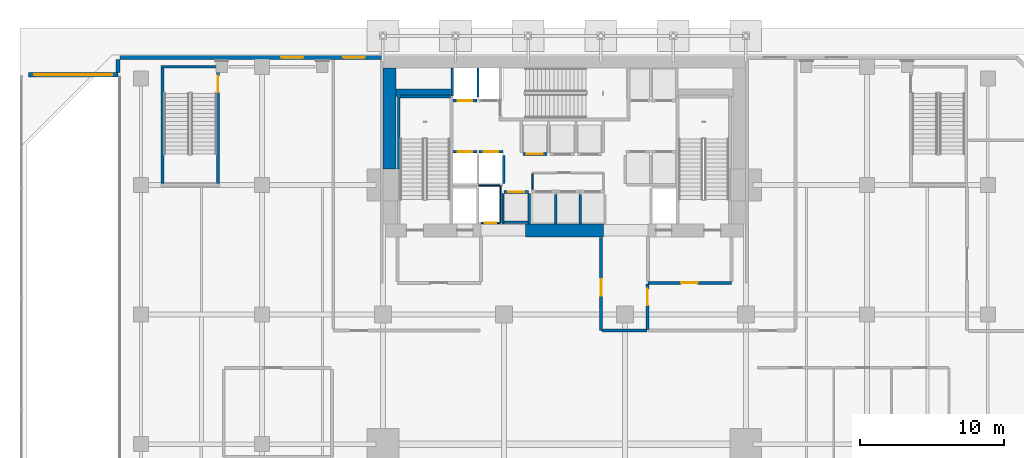
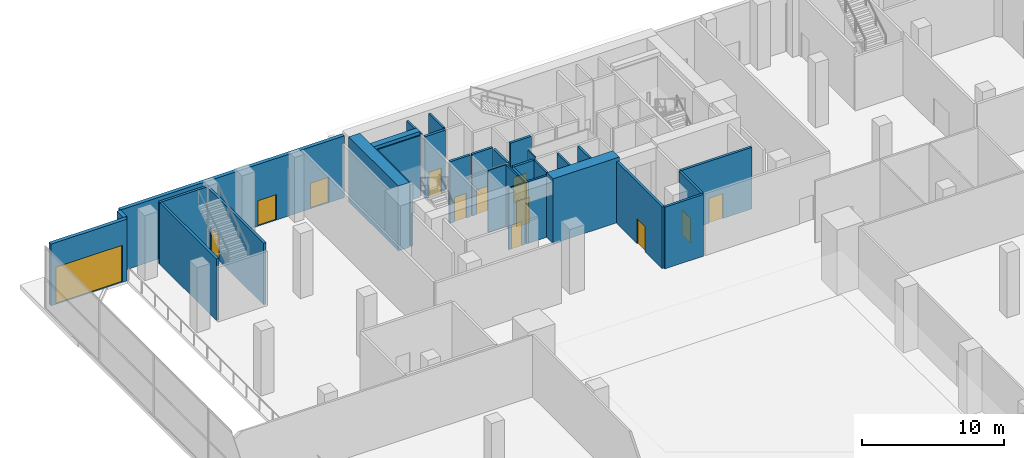
# One storey, part 28 of 35: 32 walls, 13 doors, 13 openings.
"""IFC4 building model written with IfcOpenShell, lengths in metres."""

from ifc_helpers import new_model, si_unit, direction, frame, frame_2d, origin, place, context, subcontext, project, spatial, rectangle, extrude, material, layer, layer_set, type_object, element, fill, save


model = new_model("IFC4")

# Units and contexts
model_context = context("Model", 3, precision=1e-05, world=origin(), true_north=direction((0.0, 1.0)))
body_context = subcontext(model_context, "Body", "Model", "MODEL_VIEW")
ifc_project = project(units=[si_unit("LENGTHUNIT", "METRE"), si_unit("AREAUNIT", "SQUARE_METRE"), si_unit("VOLUMEUNIT", "CUBIC_METRE"), si_unit("PLANEANGLEUNIT", "RADIAN"), si_unit("MASSUNIT", "GRAM", prefix="KILO")], contexts=[model_context])

# Site, building, storey
site_placement = place(None, origin())
site = spatial("IfcSite", under=ifc_project, at=site_placement, CompositionType="ELEMENT")
building_placement = place(site_placement, origin())
building = spatial("IfcBuilding", under=site, at=building_placement, Name="Maruvema Waterfront Hotel and Observation Tower", CompositionType="ELEMENT")
storey_placement = place(building_placement, origin())
storey = spatial("IfcBuildingStorey", under=building, at=storey_placement, Name="L00", CompositionType="ELEMENT", Elevation=0.0)

# Walls
ifc_material_1 = material(Name="Precast concrete C45/55", Category="concrete")
ifc_layer_1 = layer(ifc_material_1, 0.199951171875, Name="Core Shaft and Stairwell Enclosure Wall 200 mm")
ifc_layer_set_1 = layer_set([ifc_layer_1], Name="Precast concrete C45/55")
wall_type_1 = type_object("IfcWallType", Name="Core Shaft and Stairwell Enclosure Wall 200 mm", PredefinedType="SOLIDWALL", material=ifc_layer_set_1)
wall_1_placement = place(storey_placement, frame((26.300048828125, 46.1201171875, 0.0), z_axis=(0.0, 0.0, 1.0), x_axis=(0.0, 1.0, 0.0)))
element("IfcWall", 1, at=wall_1_placement, inside=storey, type_object=wall_type_1, Name="L00 Stairwell ST-01 Shaft Lining Wall", PredefinedType="SOLIDWALL", context=body_context, shape_type="SweptSolid", body=[
    extrude(rectangle(XDim=5.0, YDim=0.199951171875, at=frame_2d((2.5, 0.0))), origin(), (0.0, 0.0, 1.0), 5.320068359375),
])
wall_2_placement = place(storey_placement, frame((26.3798828125, 51.14990234375, 0.0), z_axis=(0.0, 0.0, 1.0), x_axis=(1.0, 0.0, 0.0)))
element("IfcWall", 2, at=wall_2_placement, inside=storey, type_object=wall_type_1, Name="L00 Stairwell ST-01 Shaft Lining Wall", PredefinedType="SOLIDWALL", context=body_context, shape_type="SweptSolid", body=[
    extrude(rectangle(XDim=3.5, YDim=0.199951171875, at=frame_2d((1.75, 0.0))), origin(), (0.0, 0.0, 1.0), 5.320068359375),
])
wall_3_placement = place(storey_placement, frame((9.89990234375, 45.10009765625, 0.0), z_axis=(0.0, 0.0, 1.0), x_axis=(0.0, 1.0, 0.0)))
element("IfcWall", 3, at=wall_3_placement, inside=storey, type_object=wall_type_1, Name="L00 Stairwell ST-04 Shaft Wall", PredefinedType="SOLIDWALL", context=body_context, shape_type="SweptSolid", body=[
    extrude(rectangle(XDim=8.099853515625, YDim=0.199951171875, at=frame_2d((4.0498046875, 0.0))), origin(), (0.0, 0.0, 1.0), 5.320068359375),
])

# Wall, opening, door
wall_4_placement = place(storey_placement, frame((13.75, 45.10009765625, 0.0), z_axis=(0.0, 0.0, 1.0), x_axis=(0.0, 1.0, 0.0)))
wall_4 = element("IfcWall", 4, at=wall_4_placement, inside=storey, type_object=wall_type_1, Name="L00 Stairwell ST-04 Shaft Wall", PredefinedType="SOLIDWALL", context=body_context, shape_type="SweptSolid", body=[
    extrude(rectangle(XDim=8.099853515625, YDim=0.199951171875, at=frame_2d((4.0498046875, 0.0))), origin(), (0.0, 0.0, 1.0), 5.320068359375),
])
opening_1_placement = place(wall_4_placement, frame((6.320068359375, 0.0, 0.0)))
opening_1 = element("IfcOpeningElement", 5, at=opening_1_placement, cuts=wall_4, Name="Opening SD-01", PredefinedType="OPENING", context=body_context, shape_type="SweptSolid", body=[
    extrude(rectangle(XDim=1.14990234375, YDim=2.14990234375, at=frame_2d((0.574951171875, 1.074951171875))), frame((0.0, 0.10986328125, 0.0), z_axis=(0.0, -1.0, 0.0), x_axis=(1.0, 0.0, 0.0)), (0.0, 0.0, 1.0), 0.219970703125),
])
ifc_material_2 = material(Name="Fire-rated galvanised steel leaf", Category="steel")
door_type_1 = type_object("IfcDoorType", Name="Exit Stair Fire Door 1150x2150 mm", OperationType="NOTDEFINED", PredefinedType="DOOR", material=ifc_material_2)
door_1_placement = place(opening_1_placement, origin())
door_1 = element("IfcDoor", 6, at=door_1_placement, inside=storey, type_object=door_type_1, Name="L00 Exit Stair ST-04 Fire Door", OperationType="SINGLE_SWING_RIGHT", OverallHeight=2.14990234375, OverallWidth=1.14990234375, PredefinedType="DOOR", context=body_context, shape_type="SweptSolid", body=[
    extrude(rectangle(XDim=1.14990234375, YDim=2.14990234375, at=frame_2d((0.574951171875, 1.074951171875))), frame((0.0, 0.02490234375, 0.0), z_axis=(0.0, -1.0, 0.0), x_axis=(1.0, 0.0, 0.0)), (0.0, 0.0, 1.0), 0.050048828125),
])
fill(opening_1, door_1)

# Wall
wall_5_placement = place(storey_placement, frame((9.800048828125, 53.199951171875, 0.0), z_axis=(0.0, 0.0, 1.0), x_axis=(1.0, 0.0, 0.0)))
element("IfcWall", 7, at=wall_5_placement, inside=storey, type_object=wall_type_1, Name="L00 Stairwell ST-04 Shaft Wall", PredefinedType="SOLIDWALL", context=body_context, shape_type="SweptSolid", body=[
    extrude(rectangle(XDim=4.050048828125, YDim=0.199951171875, at=frame_2d((2.02490234375, 0.0))), origin(), (0.0, 0.0, 1.0), 5.320068359375),
])

# Wall, opening, door
wall_6_placement = place(storey_placement, frame((30.06005859375, 47.300048828125, 0.0), z_axis=(0.0, 0.0, 1.0), x_axis=(1.0, 0.0, 0.0)))
wall_6 = element("IfcWall", 8, at=wall_6_placement, inside=storey, type_object=wall_type_1, Name="L00 Lift LF-01 Hoistway Front Wall", PredefinedType="SOLIDWALL", context=body_context, shape_type="SweptSolid", body=[
    extrude(rectangle(XDim=1.679931640625, YDim=0.199951171875, at=frame_2d((0.83984375, 0.0))), origin(), (0.0, 0.0, 1.0), 5.320068359375),
])
opening_2_placement = place(wall_6_placement, frame((0.340087890625, 0.0, 0.0)))
opening_2 = element("IfcOpeningElement", 9, at=opening_2_placement, cuts=wall_6, Name="Opening LD-01", PredefinedType="OPENING", context=body_context, shape_type="SweptSolid", body=[
    extrude(rectangle(XDim=1.0, YDim=2.14990234375, at=frame_2d((0.5, 1.074951171875))), frame((0.0, 0.10986328125, 0.0), z_axis=(0.0, -1.0, 0.0), x_axis=(1.0, 0.0, 0.0)), (0.0, 0.0, 1.0), 0.219970703125),
])
ifc_material_3 = material(Name="Brushed stainless steel Grade 316", Category="steel")
door_type_2 = type_object("IfcDoorType", Name="Passenger Lift Sliding Landing Door 1000x2150 mm", OperationType="SLIDING_TO_LEFT", PredefinedType="DOOR", material=ifc_material_3)
door_2_placement = place(opening_2_placement, origin())
door_2 = element("IfcDoor", 10, at=door_2_placement, inside=storey, type_object=door_type_2, Name="L00 Lift LF-01 Sliding Landing Door", OperationType="SLIDING_TO_LEFT", OverallHeight=2.14990234375, OverallWidth=1.0, PredefinedType="DOOR", context=body_context, shape_type="SweptSolid", body=[
    extrude(rectangle(XDim=1.0, YDim=2.14990234375, at=frame_2d((0.5, 1.074951171875))), frame((0.0, 0.02490234375, 0.0), z_axis=(0.0, -1.0, 0.0), x_axis=(1.0, 0.0, 0.0)), (0.0, 0.0, 1.0), 0.050048828125),
])
fill(opening_2, door_2)

wall_7_placement = place(storey_placement, frame((31.860107421875, 47.300048828125, 0.0), z_axis=(0.0, 0.0, 1.0), x_axis=(1.0, 0.0, 0.0)))
wall_7 = element("IfcWall", 11, at=wall_7_placement, inside=storey, type_object=wall_type_1, Name="L00 Lift LF-02 Hoistway Front Wall", PredefinedType="SOLIDWALL", context=body_context, shape_type="SweptSolid", body=[
    extrude(rectangle(XDim=1.679931640625, YDim=0.199951171875, at=frame_2d((0.83984375, 0.0))), origin(), (0.0, 0.0, 1.0), 5.320068359375),
])
opening_3_placement = place(wall_7_placement, frame((0.340087890625, 0.0, 0.0)))
opening_3 = element("IfcOpeningElement", 12, at=opening_3_placement, cuts=wall_7, Name="Opening LD-01", PredefinedType="OPENING", context=body_context, shape_type="SweptSolid", body=[
    extrude(rectangle(XDim=1.0, YDim=2.14990234375, at=frame_2d((0.5, 1.074951171875))), frame((0.0, 0.10986328125, 0.0), z_axis=(0.0, -1.0, 0.0), x_axis=(1.0, 0.0, 0.0)), (0.0, 0.0, 1.0), 0.219970703125),
])
door_3_placement = place(opening_3_placement, origin())
door_3 = element("IfcDoor", 13, at=door_3_placement, inside=storey, type_object=door_type_2, Name="L00 Lift LF-02 Sliding Landing Door", OperationType="SLIDING_TO_LEFT", OverallHeight=2.14990234375, OverallWidth=1.0, PredefinedType="DOOR", context=body_context, shape_type="SweptSolid", body=[
    extrude(rectangle(XDim=1.0, YDim=2.14990234375, at=frame_2d((0.5, 1.074951171875))), frame((0.0, 0.02490234375, 0.0), z_axis=(0.0, -1.0, 0.0), x_axis=(1.0, 0.0, 0.0)), (0.0, 0.0, 1.0), 0.050048828125),
])
fill(opening_3, door_3)

wall_8_placement = place(storey_placement, frame((30.06005859375, 50.85009765625, 0.0), z_axis=(0.0, 0.0, 1.0), x_axis=(1.0, 0.0, 0.0)))
wall_8 = element("IfcWall", 14, at=wall_8_placement, inside=storey, type_object=wall_type_1, Name="L00 Lift LF-03 Hoistway Front Wall", PredefinedType="SOLIDWALL", context=body_context, shape_type="SweptSolid", body=[
    extrude(rectangle(XDim=1.679931640625, YDim=0.199951171875, at=frame_2d((0.83984375, 0.0))), origin(), (0.0, 0.0, 1.0), 5.320068359375),
])
opening_4_placement = place(wall_8_placement, frame((0.340087890625, 0.0, 0.0)))
opening_4 = element("IfcOpeningElement", 15, at=opening_4_placement, cuts=wall_8, Name="Opening LD-01", PredefinedType="OPENING", context=body_context, shape_type="SweptSolid", body=[
    extrude(rectangle(XDim=1.0, YDim=2.14990234375, at=frame_2d((0.5, 1.074951171875))), frame((0.0, 0.10986328125, 0.0), z_axis=(0.0, -1.0, 0.0), x_axis=(1.0, 0.0, 0.0)), (0.0, 0.0, 1.0), 0.219970703125),
])
door_4_placement = place(opening_4_placement, frame((1.0, 0.0, 0.0), z_axis=(0.0, 0.0, 1.0), x_axis=(-1.0, 0.0, 0.0)))
door_4 = element("IfcDoor", 16, at=door_4_placement, inside=storey, type_object=door_type_2, Name="L00 Lift LF-03 Sliding Landing Door", OperationType="SLIDING_TO_LEFT", OverallHeight=2.14990234375, OverallWidth=1.0, PredefinedType="DOOR", context=body_context, shape_type="SweptSolid", body=[
    extrude(rectangle(XDim=1.0, YDim=2.14990234375, at=frame_2d((0.5, 1.074951171875))), frame((0.0, 0.02490234375, 0.0), z_axis=(0.0, -1.0, 0.0), x_axis=(1.0, 0.0, 0.0)), (0.0, 0.0, 1.0), 0.050048828125),
])
fill(opening_4, door_4)

wall_9_placement = place(storey_placement, frame((34.909912109375, 47.14990234375, 0.0), z_axis=(0.0, 0.0, 1.0), x_axis=(1.0, 0.0, 0.0)))
wall_9 = element("IfcWall", 17, at=wall_9_placement, inside=storey, type_object=wall_type_1, Name="L00 Lift LF-12 Hoistway Front Wall", PredefinedType="SOLIDWALL", context=body_context, shape_type="SweptSolid", body=[
    extrude(rectangle(XDim=1.68017578125, YDim=0.199951171875, at=frame_2d((0.840087890625, 0.0))), origin(), (0.0, 0.0, 1.0), 5.320068359375),
])
opening_5_placement = place(wall_9_placement, frame((0.2900390625, 0.0, 0.0)))
opening_5 = element("IfcOpeningElement", 18, at=opening_5_placement, cuts=wall_9, Name="Opening LD-02", PredefinedType="OPENING", context=body_context, shape_type="SweptSolid", body=[
    extrude(rectangle(XDim=1.10009765625, YDim=2.199951171875, at=frame_2d((0.550048828125, 1.10009765625))), frame((0.0, 0.10986328125, 0.0), z_axis=(0.0, -1.0, 0.0), x_axis=(1.0, 0.0, 0.0)), (0.0, 0.0, 1.0), 0.219970703125),
])
ifc_material_4 = material(Name="Brushed stainless steel Grade 316", Category="steel")
door_type_3 = type_object("IfcDoorType", Name="Shuttle Lift Sliding Landing Door 1100x2200 mm", OperationType="SLIDING_TO_RIGHT", PredefinedType="DOOR", material=ifc_material_4)
door_5_placement = place(opening_5_placement, frame((1.10009765625, 0.0, 0.0), z_axis=(0.0, 0.0, 1.0), x_axis=(-1.0, 0.0, 0.0)))
door_5 = element("IfcDoor", 19, at=door_5_placement, inside=storey, type_object=door_type_3, Name="L00 Lift LF-12 Sliding Landing Door", OperationType="SLIDING_TO_RIGHT", OverallHeight=2.199951171875, OverallWidth=1.10009765625, PredefinedType="DOOR", context=body_context, shape_type="SweptSolid", body=[
    extrude(rectangle(XDim=1.10009765625, YDim=2.199951171875, at=frame_2d((0.550048828125, 1.10009765625))), frame((0.0, 0.02490234375, 0.0), z_axis=(0.0, -1.0, 0.0), x_axis=(1.0, 0.0, 0.0)), (0.0, 0.0, 1.0), 0.050048828125),
])
fill(opening_5, door_5)

wall_10_placement = place(storey_placement, frame((33.610107421875, 44.5, 0.0), z_axis=(0.0, 0.0, 1.0), x_axis=(1.0, 0.0, 0.0)))
wall_10 = element("IfcWall", 20, at=wall_10_placement, inside=storey, type_object=wall_type_1, Name="L00 Lift LF-15 Hoistway Front Wall", PredefinedType="SOLIDWALL", context=body_context, shape_type="SweptSolid", body=[
    extrude(rectangle(XDim=1.679931640625, YDim=0.199951171875, at=frame_2d((0.83984375, 0.0))), origin(), (0.0, 0.0, 1.0), 5.320068359375),
])
opening_6_placement = place(wall_10_placement, frame((0.2900390625, 0.0, 0.0)))
opening_6 = element("IfcOpeningElement", 21, at=opening_6_placement, cuts=wall_10, Name="Opening LD-02", PredefinedType="OPENING", context=body_context, shape_type="SweptSolid", body=[
    extrude(rectangle(XDim=1.10009765625, YDim=2.199951171875, at=frame_2d((0.550048828125, 1.10009765625))), frame((0.0, 0.10986328125, 0.0), z_axis=(0.0, -1.0, 0.0), x_axis=(1.0, 0.0, 0.0)), (0.0, 0.0, 1.0), 0.219970703125),
])
door_6_placement = place(opening_6_placement, origin())
door_6 = element("IfcDoor", 22, at=door_6_placement, inside=storey, type_object=door_type_3, Name="L00 Lift LF-15 Sliding Landing Door", OperationType="SLIDING_TO_RIGHT", OverallHeight=2.199951171875, OverallWidth=1.10009765625, PredefinedType="DOOR", context=body_context, shape_type="SweptSolid", body=[
    extrude(rectangle(XDim=1.10009765625, YDim=2.199951171875, at=frame_2d((0.550048828125, 1.10009765625))), frame((0.0, 0.02490234375, 0.0), z_axis=(0.0, -1.0, 0.0), x_axis=(1.0, 0.0, 0.0)), (0.0, 0.0, 1.0), 0.050048828125),
])
fill(opening_6, door_6)

# Walls
ifc_material_5 = material(Name="Concrete C70/85", Category="concrete")
ifc_layer_2 = layer(ifc_material_5, 0.5, Name="Core Shear Wall 500 mm")
ifc_layer_set_2 = layer_set([ifc_layer_2], Name="Concrete C70/85")
wall_type_2 = type_object("IfcWallType", Name="Core Shear Wall 500 mm", PredefinedType="SHEAR", material=ifc_layer_set_2)
wall_11_placement = place(storey_placement, frame((26.10009765625, 51.39990234375, 0.0), z_axis=(0.0, 0.0, 1.0), x_axis=(1.0, 0.0, 0.0)))
element("IfcWall", 23, at=wall_11_placement, inside=storey, type_object=wall_type_2, Name="L00 Internal Core Shear Wall NW 500 mm", PredefinedType="SHEAR", context=body_context, shape_type="SweptSolid", body=[
    extrude(rectangle(XDim=3.7998046875, YDim=0.5, at=frame_2d((1.89990234375, 0.0))), origin(), (0.0, 0.0, 1.0), 5.60009765625),
])
ifc_material_6 = material(Name="Concrete C80/95", Category="concrete")
ifc_layer_3 = layer(ifc_material_6, 0.89990234375, Name="Core Shear Wall 900 mm")
ifc_layer_set_3 = layer_set([ifc_layer_3], Name="Concrete C80/95")
wall_type_3 = type_object("IfcWallType", Name="Core Shear Wall 900 mm", PredefinedType="SHEAR", material=ifc_layer_set_3)
wall_12_placement = place(storey_placement, frame((35.10009765625, 41.85009765625, 0.0), z_axis=(0.0, 0.0, 1.0), x_axis=(1.0, 0.0, 0.0)))
element("IfcWall", 24, at=wall_12_placement, inside=storey, type_object=wall_type_3, Name="L00 South-Central Core Shear Wall", PredefinedType="SHEAR", context=body_context, shape_type="SweptSolid", body=[
    extrude(rectangle(XDim=5.39990234375, YDim=0.89990234375, at=frame_2d((2.699951171875, 0.0))), origin(), (0.0, 0.0, 1.0), 5.60009765625),
])
wall_13_placement = place(storey_placement, frame((25.64990234375, 46.10009765625, 0.0), z_axis=(0.0, 0.0, 1.0), x_axis=(0.0, 1.0, 0.0)))
element("IfcWall", 25, at=wall_13_placement, inside=storey, type_object=wall_type_3, Name="L00 West-North Core Shear Wall", PredefinedType="SHEAR", context=body_context, shape_type="SweptSolid", body=[
    extrude(rectangle(XDim=7.0, YDim=0.89990234375, at=frame_2d((3.5, 0.0))), origin(), (0.0, 0.0, 1.0), 5.60009765625),
])

# Wall, opening, door
ifc_material_7 = material(Name="Moisture-resistant cement-board drywall", Category="gypsum")
ifc_layer_4 = layer(ifc_material_7, 0.10009765625, Name="En-Suite Moisture-Resistant Partition 100 mm")
ifc_layer_set_4 = layer_set([ifc_layer_4], Name="Moisture-resistant cement-board drywall")
wall_type_4 = type_object("IfcWallType", Name="En-Suite Moisture-Resistant Partition 100 mm", PredefinedType="PARTITIONING", material=ifc_layer_set_4)
wall_14_placement = place(storey_placement, frame((32.02001953125, 42.360107421875, 0.0), z_axis=(0.0, 0.0, 1.0), x_axis=(1.0, 0.0, 0.0)))
wall_14 = element("IfcWall", 26, at=wall_14_placement, inside=storey, type_object=wall_type_4, Name="L00 Telecom Riser South Wall 007", PredefinedType="PARTITIONING", context=body_context, shape_type="SweptSolid", body=[
    extrude(rectangle(XDim=1.320068359375, YDim=0.10009765625, at=frame_2d((0.66015625, 0.0))), origin(), (0.0, 0.0, 1.0), 5.320068359375),
])
opening_7_placement = place(wall_14_placement, frame((0.239990234375, 0.0, 0.0)))
opening_7 = element("IfcOpeningElement", 27, at=opening_7_placement, cuts=wall_14, Name="Opening DR-080", PredefinedType="OPENING", context=body_context, shape_type="SweptSolid", body=[
    extrude(rectangle(XDim=0.800048828125, YDim=2.050048828125, at=frame_2d((0.39990234375, 1.02490234375))), frame((0.0, 0.06005859375, 0.0), z_axis=(0.0, -1.0, 0.0), x_axis=(1.0, 0.0, 0.0)), (0.0, 0.0, 1.0), 0.1201171875),
])
ifc_material_8 = material(Name="Powder-coated steel access leaf", Category="steel")
door_type_4 = type_object("IfcDoorType", Name="Riser and Service Cupboard Door 800x2050 mm", OperationType="NOTDEFINED", PredefinedType="DOOR", material=ifc_material_8)
door_7_placement = place(opening_7_placement, frame((0.800048828125, 0.0, 0.0), z_axis=(0.0, 0.0, 1.0), x_axis=(-1.0, 0.0, 0.0)))
door_7 = element("IfcDoor", 28, at=door_7_placement, inside=storey, type_object=door_type_4, Name="L00 Telecom Riser Door", OperationType="SINGLE_SWING_RIGHT", OverallHeight=2.050048828125, OverallWidth=0.800048828125, PredefinedType="DOOR", context=body_context, shape_type="SweptSolid", body=[
    extrude(rectangle(XDim=0.800048828125, YDim=2.050048828125, at=frame_2d((0.39990234375, 1.02490234375))), frame((0.0, 0.02490234375, 0.0), z_axis=(0.0, -1.0, 0.0), x_axis=(1.0, 0.0, 0.0)), (0.0, 0.0, 1.0), 0.050048828125),
])
fill(opening_7, door_7)

# Walls
wall_15_placement = place(storey_placement, frame((31.840087890625, 44.9599609375, 0.0), z_axis=(0.0, 0.0, 1.0), x_axis=(1.0, 0.0, 0.0)))
element("IfcWall", 29, at=wall_15_placement, inside=storey, type_object=wall_type_4, Name="L00 Telecom Riser North Wall 008", PredefinedType="PARTITIONING", context=body_context, shape_type="SweptSolid", body=[
    extrude(rectangle(XDim=1.47998046875, YDim=0.10009765625, at=frame_2d((0.739990234375, 0.0))), origin(), (0.0, 0.0, 1.0), 5.320068359375),
])
wall_16_placement = place(storey_placement, frame((33.360107421875, 42.360107421875, 0.0), z_axis=(0.0, 0.0, 1.0), x_axis=(0.0, 1.0, 0.0)))
element("IfcWall", 30, at=wall_16_placement, inside=storey, type_object=wall_type_4, Name="L00 Telecom Riser East Wall 009", PredefinedType="PARTITIONING", context=body_context, shape_type="SweptSolid", body=[
    extrude(rectangle(XDim=2.579833984375, YDim=0.10009765625, at=frame_2d((1.2900390625, 0.0))), origin(), (0.0, 0.0, 1.0), 5.320068359375),
])
wall_17_placement = place(storey_placement, frame((35.580078125, 44.699951171875, 0.0), z_axis=(0.0, 0.0, 1.0), x_axis=(0.0, 1.0, 0.0)))
element("IfcWall", 31, at=wall_17_placement, inside=storey, type_object=wall_type_4, Name="L00 Core Closet K0 West 011", PredefinedType="PARTITIONING", context=body_context, shape_type="SweptSolid", body=[
    extrude(rectangle(XDim=1.080078125, YDim=0.10009765625, at=frame_2d((0.5400390625, 0.0))), origin(), (0.0, 0.0, 1.0), 5.320068359375),
])

# Wall, opening, door
ifc_material_9 = material(Name="Autoclaved cellular concrete blockwork", Category="masonry")
ifc_layer_5 = layer(ifc_material_9, 0.199951171875, Name="Fire Compartment Masonry Wall 200 mm")
ifc_layer_set_5 = layer_set([ifc_layer_5], Name="Autoclaved cellular concrete blockwork")
wall_type_5 = type_object("IfcWallType", Name="Fire Compartment Masonry Wall 200 mm", PredefinedType="PARTITIONING", material=ifc_layer_set_5)
wall_18_placement = place(storey_placement, frame((43.60009765625, 38.199951171875, 0.0), z_axis=(0.0, 0.0, 1.0), x_axis=(1.0, 0.0, 0.0)))
wall_18 = element("IfcWall", 32, at=wall_18_placement, inside=storey, type_object=wall_type_5, Name="L00 FFL East South Wall 004", PredefinedType="PARTITIONING", context=body_context, shape_type="SweptSolid", body=[
    extrude(rectangle(XDim=5.7998046875, YDim=0.199951171875, at=frame_2d((2.89990234375, 0.0))), origin(), (0.0, 0.0, 1.0), 5.320068359375),
])
opening_8_placement = place(wall_18_placement, frame((2.300048828125, 0.0, 0.0)))
opening_8 = element("IfcOpeningElement", 33, at=opening_8_placement, cuts=wall_18, Name="Opening FD-115", PredefinedType="OPENING", context=body_context, shape_type="SweptSolid", body=[
    extrude(rectangle(XDim=1.14990234375, YDim=2.14990234375, at=frame_2d((0.574951171875, 1.074951171875))), frame((0.0, 0.10986328125, 0.0), z_axis=(0.0, -1.0, 0.0), x_axis=(1.0, 0.0, 0.0)), (0.0, 0.0, 1.0), 0.219970703125),
])
ifc_material_10 = material(Name="Fire-rated galvanised steel and vision glass", Category="steel")
door_type_5 = type_object("IfcDoorType", Name="Firefighting Lobby Fire Door 1150x2150 mm", OperationType="NOTDEFINED", PredefinedType="DOOR", material=ifc_material_10)
door_8_placement = place(opening_8_placement, frame((1.14990234375, 0.0, 0.0), z_axis=(0.0, 0.0, 1.0), x_axis=(-1.0, 0.0, 0.0)))
door_8 = element("IfcDoor", 34, at=door_8_placement, inside=storey, type_object=door_type_5, Name="L00 Firefighting Lobby East Door", OperationType="SINGLE_SWING_LEFT", OverallHeight=2.14990234375, OverallWidth=1.14990234375, PredefinedType="DOOR", context=body_context, shape_type="SweptSolid", body=[
    extrude(rectangle(XDim=1.14990234375, YDim=2.14990234375, at=frame_2d((0.574951171875, 1.074951171875))), frame((0.0, 0.02490234375, 0.0), z_axis=(0.0, -1.0, 0.0), x_axis=(1.0, 0.0, 0.0)), (0.0, 0.0, 1.0), 0.050048828125),
])
fill(opening_8, door_8)

wall_19_placement = place(storey_placement, frame((40.35009765625, 34.89990234375, 0.0), z_axis=(0.0, 0.0, 1.0), x_axis=(0.0, 1.0, 0.0)))
wall_19 = element("IfcWall", 35, at=wall_19_placement, inside=storey, type_object=wall_type_5, Name="L00 Central Exit Passage West Wall 023", PredefinedType="PARTITIONING", context=body_context, shape_type="SweptSolid", body=[
    extrude(rectangle(XDim=6.4501953125, YDim=0.199951171875, at=frame_2d((3.22509765625, 0.0))), origin(), (0.0, 0.0, 1.0), 5.320068359375),
])
opening_9_placement = place(wall_19_placement, frame((2.39990234375, 0.0, 0.0)))
opening_9 = element("IfcOpeningElement", 36, at=opening_9_placement, cuts=wall_19, Name="Opening FD-115", PredefinedType="OPENING", context=body_context, shape_type="SweptSolid", body=[
    extrude(rectangle(XDim=1.14990234375, YDim=2.14990234375, at=frame_2d((0.574951171875, 1.074951171875))), frame((0.0, 0.10986328125, 0.0), z_axis=(0.0, -1.0, 0.0), x_axis=(1.0, 0.0, 0.0)), (0.0, 0.0, 1.0), 0.219970703125),
])
door_9_placement = place(opening_9_placement, frame((1.14990234375, 0.0, 0.0), z_axis=(0.0, 0.0, 1.0), x_axis=(-1.0, 0.0, 0.0)))
door_9 = element("IfcDoor", 37, at=door_9_placement, inside=storey, type_object=door_type_5, Name="L00 Central Core Concourse Fire Door", OperationType="SINGLE_SWING_LEFT", OverallHeight=2.14990234375, OverallWidth=1.14990234375, PredefinedType="DOOR", context=body_context, shape_type="SweptSolid", body=[
    extrude(rectangle(XDim=1.14990234375, YDim=2.14990234375, at=frame_2d((0.574951171875, 1.074951171875))), frame((0.0, 0.02490234375, 0.0), z_axis=(0.0, -1.0, 0.0), x_axis=(1.0, 0.0, 0.0)), (0.0, 0.0, 1.0), 0.050048828125),
])
fill(opening_9, door_9)

# Wall
wall_20_placement = place(storey_placement, frame((40.39990234375, 34.8798828125, 0.0), z_axis=(0.0, 0.0, 1.0), x_axis=(1.0, 0.0, 0.0)))
element("IfcWall", 38, at=wall_20_placement, inside=storey, type_object=wall_type_5, Name="L00 Central Exit Passage South Wall 024", PredefinedType="PARTITIONING", context=body_context, shape_type="SweptSolid", body=[
    extrude(rectangle(XDim=3.150146484375, YDim=0.199951171875, at=frame_2d((1.5751953125, 0.0))), origin(), (0.0, 0.0, 1.0), 5.320068359375),
])

# Wall, opening, door
wall_21_placement = place(storey_placement, frame((43.56005859375, 34.9599609375, 0.0), z_axis=(0.0, 0.0, 1.0), x_axis=(0.0, 1.0, 0.0)))
wall_21 = element("IfcWall", 39, at=wall_21_placement, inside=storey, type_object=wall_type_5, Name="L00 Central Exit Passage East Door Wall 025", PredefinedType="PARTITIONING", context=body_context, shape_type="SweptSolid", body=[
    extrude(rectangle(XDim=3.16015625, YDim=0.199951171875, at=frame_2d((1.580078125, 0.0))), origin(), (0.0, 0.0, 1.0), 5.320068359375),
])
opening_10_placement = place(wall_21_placement, frame((1.669921875, 0.0, 0.0)))
opening_10 = element("IfcOpeningElement", 40, at=opening_10_placement, cuts=wall_21, Name="Opening FD-115", PredefinedType="OPENING", context=body_context, shape_type="SweptSolid", body=[
    extrude(rectangle(XDim=1.14990234375, YDim=2.14990234375, at=frame_2d((0.574951171875, 1.074951171875))), frame((0.0, 0.10986328125, 0.0), z_axis=(0.0, -1.0, 0.0), x_axis=(1.0, 0.0, 0.0)), (0.0, 0.0, 1.0), 0.219970703125),
])
door_10_placement = place(opening_10_placement, origin())
door_10 = element("IfcDoor", 41, at=door_10_placement, inside=storey, type_object=door_type_5, Name="L00 Central Exit Passageway East Fire Door", OperationType="SINGLE_SWING_RIGHT", OverallHeight=2.14990234375, OverallWidth=1.14990234375, PredefinedType="DOOR", context=body_context, shape_type="SweptSolid", body=[
    extrude(rectangle(XDim=1.14990234375, YDim=2.14990234375, at=frame_2d((0.574951171875, 1.074951171875))), frame((0.0, 0.02490234375, 0.0), z_axis=(0.0, -1.0, 0.0), x_axis=(1.0, 0.0, 0.0)), (0.0, 0.0, 1.0), 0.050048828125),
])
fill(opening_10, door_10)

# Walls
ifc_material_11 = material(Name="Precast concrete C45/55", Category="concrete")
ifc_layer_6 = layer(ifc_material_11, 0.159912109375, Name="Lift Hoistway Divider Wall 160 mm")
ifc_layer_set_6 = layer_set([ifc_layer_6], Name="Precast concrete C45/55")
wall_type_6 = type_object("IfcWallType", Name="Lift Hoistway Divider Wall 160 mm", PredefinedType="SOLIDWALL", material=ifc_layer_set_6)
wall_22_placement = place(storey_placement, frame((33.580078125, 45.10009765625, 0.0), z_axis=(0.0, 0.0, 1.0), x_axis=(0.0, 1.0, 0.0)))
element("IfcWall", 42, at=wall_22_placement, inside=storey, type_object=wall_type_6, Name="L00 Hoistway Divider Wall", PredefinedType="SOLIDWALL", context=body_context, shape_type="SweptSolid", body=[
    extrude(rectangle(XDim=1.949951171875, YDim=0.159912109375, at=frame_2d((0.97509765625, 0.0))), origin(), (0.0, 0.0, 1.0), 5.320068359375),
])
wall_23_placement = place(storey_placement, frame((30.010009765625, 51.179931640625, 0.0), z_axis=(0.0, 0.0, 1.0), x_axis=(0.0, 1.0, 0.0)))
element("IfcWall", 43, at=wall_23_placement, inside=storey, type_object=wall_type_6, Name="L00 Hoistway Divider Wall", PredefinedType="SOLIDWALL", context=body_context, shape_type="SweptSolid", body=[
    extrude(rectangle(XDim=1.920166015625, YDim=0.159912109375, at=frame_2d((0.9599609375, 0.0))), origin(), (0.0, 0.0, 1.0), 5.320068359375),
])
wall_24_placement = place(storey_placement, frame((31.800048828125, 51.10009765625, 0.0), z_axis=(0.0, 0.0, 1.0), x_axis=(0.0, 1.0, 0.0)))
element("IfcWall", 44, at=wall_24_placement, inside=storey, type_object=wall_type_6, Name="L00 Hoistway Divider Wall", PredefinedType="SOLIDWALL", context=body_context, shape_type="SweptSolid", body=[
    extrude(rectangle(XDim=2.0, YDim=0.159912109375, at=frame_2d((1.0, 0.0))), origin(), (0.0, 0.0, 1.0), 5.320068359375),
])
for number, where, z_axis, x_axis, name in (
    (45, (37.199951171875, 42.300048828125, 0.0), (0.0, 0.0, 1.0), (0.0, 1.0, 0.0), "L00 Hoistway Divider Wall"),
    (46, (38.89990234375, 42.300048828125, 0.0), (0.0, 0.0, 1.0), (0.0, 1.0, 0.0), "L00 Hoistway Divider Wall"),
):
    element("IfcWall", number, at=place(storey_placement, frame(where, z_axis=z_axis, x_axis=x_axis)), inside=storey, type_object=wall_type_6, Name=name, PredefinedType="SOLIDWALL", context=body_context, shape_type="SweptSolid", body=[
        extrude(rectangle(XDim=2.050048828125, YDim=0.159912109375, at=frame_2d((1.02490234375, 0.0))), origin(), (0.0, 0.0, 1.0), 5.320068359375),
    ])
for number, where, z_axis, x_axis, name in (
    (47, (33.5400390625, 42.300048828125, 0.0), (0.0, 0.0, 1.0), (0.0, 1.0, 0.0), "L00 Hoistway Divider Wall"),
    (48, (35.360107421875, 42.300048828125, 0.0), (0.0, 0.0, 1.0), (0.0, 1.0, 0.0), "L00 Hoistway Divider Wall"),
):
    element("IfcWall", number, at=place(storey_placement, frame(where, z_axis=z_axis, x_axis=x_axis)), inside=storey, type_object=wall_type_6, Name=name, PredefinedType="SOLIDWALL", context=body_context, shape_type="SweptSolid", body=[
        extrude(rectangle(XDim=2.099853515625, YDim=0.159912109375, at=frame_2d((1.0498046875, 0.0))), origin(), (0.0, 0.0, 1.0), 5.320068359375),
    ])
wall_25_placement = place(storey_placement, frame((33.6201171875, 42.39990234375, 0.0), z_axis=(0.0, 0.0, 1.0), x_axis=(1.0, 0.0, 0.0)))
element("IfcWall", 49, at=wall_25_placement, inside=storey, type_object=wall_type_6, Name="L00 Hoistway Divider Wall", PredefinedType="SOLIDWALL", context=body_context, shape_type="SweptSolid", body=[
    extrude(rectangle(XDim=1.659912109375, YDim=0.159912109375, at=frame_2d((0.830078125, 0.0))), origin(), (0.0, 0.0, 1.0), 5.320068359375),
])

# Wall, opening, door
ifc_material_12 = material(Name="Precast concrete C45/55 with honed Pernambuco granite facing", Category="masonry")
ifc_layer_7 = layer(ifc_material_12, 0.300048828125, Name="Podium Waterfront Granite Colonnade Wall 300 mm")
ifc_layer_set_7 = layer_set([ifc_layer_7], Name="Precast concrete C45/55 with honed Pernambuco granite facing")
wall_type_7 = type_object("IfcWallType", Name="Podium Waterfront Granite Colonnade Wall 300 mm", PredefinedType="SOLIDWALL", material=ifc_layer_set_7)
wall_26_placement = place(storey_placement, frame((0.60009765625, 52.64990234375, 0.0), z_axis=(0.0, 0.0, 1.0), x_axis=(1.0, 0.0, 0.0)))
wall_26 = element("IfcWall", 50, at=wall_26_placement, inside=storey, type_object=wall_type_7, Name="L00 North-West Vehicle Ramp Portal Wall", PredefinedType="SOLIDWALL", context=body_context, shape_type="SweptSolid", body=[
    extrude(rectangle(XDim=6.199951171875, YDim=0.300048828125, at=frame_2d((3.10009765625, 0.0))), origin(), (0.0, 0.0, 1.0), 5.320068359375),
])
opening_11_placement = place(wall_26_placement, frame((0.39990234375, 0.0, 0.0)))
opening_11 = element("IfcOpeningElement", 51, at=opening_11_placement, cuts=wall_26, Name="Opening DG-01", PredefinedType="OPENING", context=body_context, shape_type="SweptSolid", body=[
    extrude(rectangle(XDim=5.39990234375, YDim=3.199951171875, at=frame_2d((2.699951171875, 1.60009765625))), frame((0.0, 0.16015625, 0.0), z_axis=(0.0, -1.0, 0.0), x_axis=(1.0, 0.0, 0.0)), (0.0, 0.0, 1.0), 0.320068359375),
])
ifc_material_13 = material(Name="Galvanised steel roller slats", Category="steel")
door_type_6 = type_object("IfcDoorType", Name="Vehicle Roller Shutter Gate 5400x3200 mm", OperationType="ROLLINGUP", PredefinedType="GATE", material=ifc_material_13)
door_11_placement = place(opening_11_placement, origin())
door_11 = element("IfcDoor", 52, at=door_11_placement, inside=storey, type_object=door_type_6, Name="L00 Vehicle Ramp Roller Shutter Gate DG-01", OperationType="ROLLINGUP", OverallHeight=3.199951171875, OverallWidth=5.39990234375, PredefinedType="GATE", context=body_context, shape_type="SweptSolid", body=[
    extrude(rectangle(XDim=5.39990234375, YDim=3.199951171875, at=frame_2d((2.699951171875, 1.60009765625))), frame((0.0, 0.02490234375, 0.0), z_axis=(0.0, -1.0, 0.0), x_axis=(1.0, 0.0, 0.0)), (0.0, 0.0, 1.0), 0.050048828125),
])
fill(opening_11, door_11)

# Wall
wall_27_placement = place(storey_placement, frame((6.800048828125, 52.800048828125, 0.0), z_axis=(0.0, 0.0, 1.0), x_axis=(0.0, 1.0, 0.0)))
element("IfcWall", 53, at=wall_27_placement, inside=storey, type_object=wall_type_7, Name="L00 Ramp Portal Cheek Wall", PredefinedType="SOLIDWALL", context=body_context, shape_type="SweptSolid", body=[
    extrude(rectangle(XDim=0.89990234375, YDim=0.300048828125, at=frame_2d((0.449951171875, 0.0))), origin(), (0.0, 0.0, 1.0), 5.320068359375),
])

# Wall, openings, doors
wall_28_placement = place(storey_placement, frame((6.949951171875, 53.85009765625, 0.0), z_axis=(0.0, 0.0, 1.0), x_axis=(1.0, 0.0, 0.0)))
wall_28 = element("IfcWall", 54, at=wall_28_placement, inside=storey, type_object=wall_type_7, Name="L00 North-West Stair Discharge Wall", PredefinedType="SOLIDWALL", context=body_context, shape_type="SweptSolid", body=[
    extrude(rectangle(XDim=18.25, YDim=0.300048828125, at=frame_2d((9.125, 0.0))), origin(), (0.0, 0.0, 1.0), 5.320068359375),
])
opening_12_placement = place(wall_28_placement, frame((11.199951171875, 0.0, 0.0)))
opening_12 = element("IfcOpeningElement", 55, at=opening_12_placement, cuts=wall_28, Name="Opening ED-01", PredefinedType="OPENING", context=body_context, shape_type="SweptSolid", body=[
    extrude(rectangle(XDim=1.5, YDim=2.199951171875, at=frame_2d((0.75, 1.10009765625))), frame((0.0, 0.16015625, 0.0), z_axis=(0.0, -1.0, 0.0), x_axis=(1.0, 0.0, 0.0)), (0.0, 0.0, 1.0), 0.320068359375),
])
opening_13_placement = place(wall_28_placement, frame((15.5, 0.0, 0.0)))
opening_13 = element("IfcOpeningElement", 56, at=opening_13_placement, cuts=wall_28, Name="Opening ED-01", PredefinedType="OPENING", context=body_context, shape_type="SweptSolid", body=[
    extrude(rectangle(XDim=1.5, YDim=2.199951171875, at=frame_2d((0.75, 1.10009765625))), frame((0.0, 0.16015625, 0.0), z_axis=(0.0, -1.0, 0.0), x_axis=(1.0, 0.0, 0.0)), (0.0, 0.0, 1.0), 0.320068359375),
])
ifc_material_14 = material(Name="Powder-coated aluminium and laminated safety glass", Category="aluminium")
door_type_7 = type_object("IfcDoorType", Name="Final Exit Discharge Double Door 1500x2200 mm", OperationType="DOUBLE_DOOR_SINGLE_SWING", PredefinedType="DOOR", material=ifc_material_14)
door_12_placement = place(opening_12_placement, origin())
door_12 = element("IfcDoor", 57, at=door_12_placement, inside=storey, type_object=door_type_7, Name="L00 Stair ST-04 Exterior Final Exit Door", OperationType="DOUBLE_DOOR_SINGLE_SWING", OverallHeight=2.199951171875, OverallWidth=1.5, PredefinedType="DOOR", context=body_context, shape_type="SweptSolid", body=[
    extrude(rectangle(XDim=1.5, YDim=2.199951171875, at=frame_2d((0.75, 1.10009765625))), frame((0.0, 0.02490234375, 0.0), z_axis=(0.0, -1.0, 0.0), x_axis=(1.0, 0.0, 0.0)), (0.0, 0.0, 1.0), 0.050048828125),
])
fill(opening_12, door_12)
door_13_placement = place(opening_13_placement, origin())
door_13 = element("IfcDoor", 58, at=door_13_placement, inside=storey, type_object=door_type_7, Name="L00 Core West Passageway Exterior Final Exit Door", OperationType="DOUBLE_DOOR_SINGLE_SWING", OverallHeight=2.199951171875, OverallWidth=1.5, PredefinedType="DOOR", context=body_context, shape_type="SweptSolid", body=[
    extrude(rectangle(XDim=1.5, YDim=2.199951171875, at=frame_2d((0.75, 1.10009765625))), frame((0.0, 0.02490234375, 0.0), z_axis=(0.0, -1.0, 0.0), x_axis=(1.0, 0.0, 0.0)), (0.0, 0.0, 1.0), 0.050048828125),
])
fill(opening_13, door_13)

save(model, "model.ifc")
